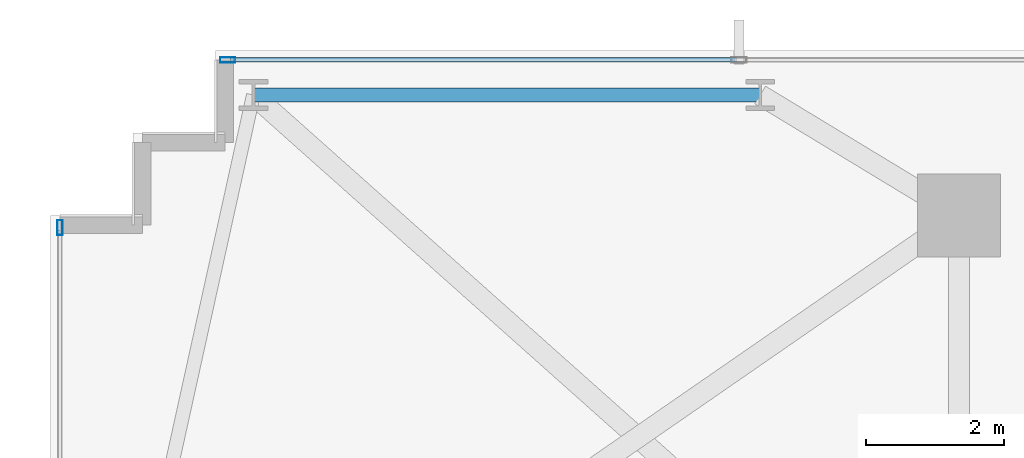
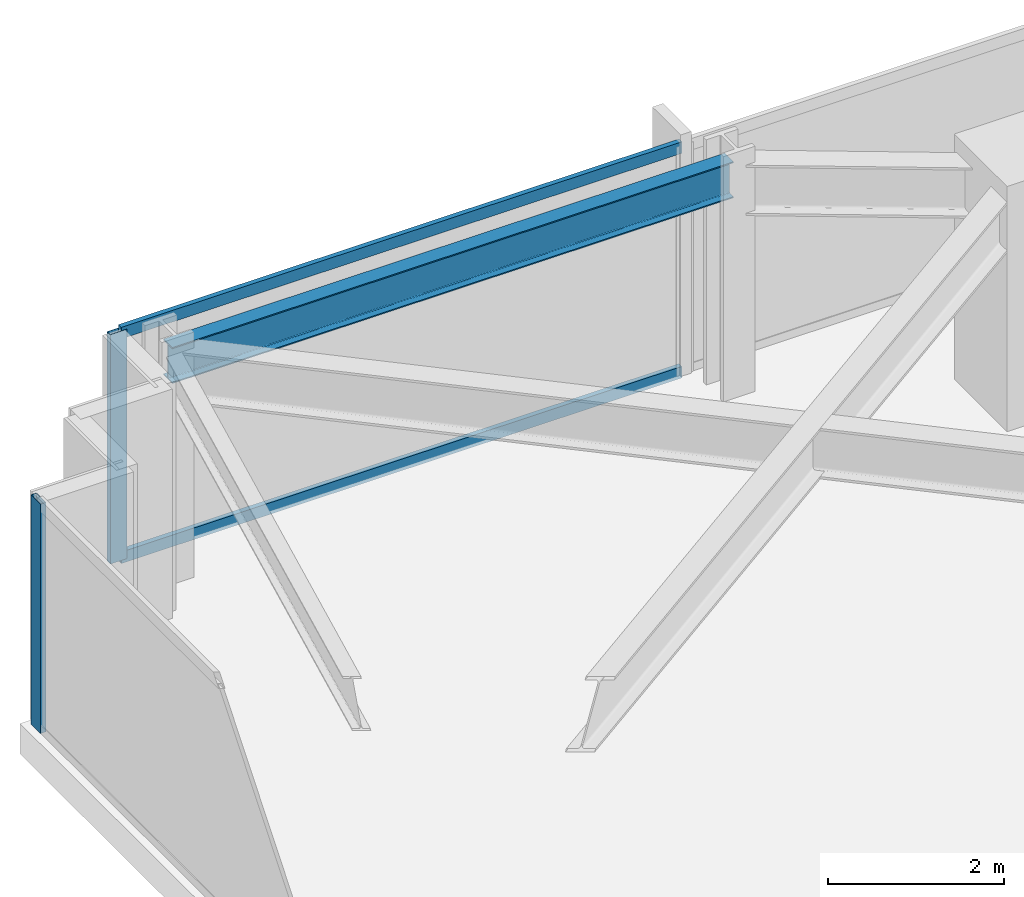
# One storey, part 15 of 31: 4 members, 1 beam, 2 elements without a shape of their own.
"""IFC4 building model written with IfcOpenShell, lengths in metres."""

from ifc_helpers import new_model, si_unit, direction, frame, origin, origin_2d, place, context, subcontext, project, spatial, hollow_rectangle, i_section, extrude, material, material_profile, profile_set, type_object, element, aggregate, save


model = new_model("IFC4")

# Units and contexts
model_context = context("Model", 3, precision=1e-05, world=origin(), true_north=direction((0.0, 1.0)))
body_context = subcontext(model_context, "Body", "Model", "MODEL_VIEW")
ifc_project = project(units=[si_unit("LENGTHUNIT", "METRE"), si_unit("AREAUNIT", "SQUARE_METRE"), si_unit("VOLUMEUNIT", "CUBIC_METRE"), si_unit("PLANEANGLEUNIT", "RADIAN"), si_unit("MASSUNIT", "GRAM", prefix="KILO")], contexts=[model_context])

# Site, building, storey
site_placement = place(None, origin())
site = spatial("IfcSite", under=ifc_project, at=site_placement, CompositionType="ELEMENT")
building_placement = place(site_placement, origin())
building = spatial("IfcBuilding", under=site, at=building_placement, Name="Yelkora Congress Tower", CompositionType="ELEMENT")
storey_placement = place(building_placement, frame((0.0, 0.0, 30.39990234375)))
storey = spatial("IfcBuildingStorey", under=building, at=storey_placement, Name="L06", CompositionType="ELEMENT", Elevation=30.39990234375)

# Beam
ifc_material_1 = material(Name="Steel S355J2", Category="steel")
ifc_material_profile_1 = material_profile(ifc_material_1, i_section(OverallWidth=0.199951171875, OverallDepth=0.5, WebThickness=0.01025390625, FlangeThickness=0.01611328125, FilletRadius=0.02099609375, at=origin_2d()), Name="IPE 500")
ifc_profile_set_1 = profile_set([ifc_material_profile_1], Name="Steel S355J2")
beam_type = type_object("IfcBeamType", Name="BM-SPAN-IPE500", PredefinedType="SPANDREL", material=ifc_profile_set_1)
beam_placement = place(storey_placement, frame((16.3125, 47.949951171875, 2.93017578125), z_axis=(-1.0, 0.0, 0.0), x_axis=(0.0, -1.0, 0.0)))
element("IfcBeam", 1, at=beam_placement, inside=storey, type_object=beam_type, Name="L06 Perimeter Beam 16", PredefinedType="SPANDREL", context=body_context, shape_type="SweptSolid", body=[
    extrude(i_section(OverallWidth=0.199951171875, OverallDepth=0.5, WebThickness=0.01025390625, FlangeThickness=0.01611328125, FilletRadius=0.02099609375, at=origin_2d()), origin(), (0.0, 0.0, 1.0), 7.362548828125),
])

# Curtain wall, member
ifc_material_2 = material(Name="Anodised aluminium and insulated glass", Category="aluminium")
curtain_wall_type = type_object("IfcCurtainWallType", Name="CW-SYS-B1", PredefinedType="NOTDEFINED", material=ifc_material_2)
curtain_wall_1_placement = place(storey_placement, origin())
curtain_wall_1 = element("IfcCurtainWall", 2, at=curtain_wall_1_placement, inside=storey, type_object=curtain_wall_type, Name="L06 Unitised Curtain Wall 5", PredefinedType="NOTDEFINED")
ifc_material_3 = material(Name="Anodised aluminium 6063-T6", Category="aluminium")
ifc_material_profile_2 = material_profile(ifc_material_3, hollow_rectangle(XDim=0.074951171875, YDim=0.219970703125, WallThickness=0.0048828125, at=origin_2d()), Name="ALU 75x220x5")
ifc_profile_set_2 = profile_set([ifc_material_profile_2], Name="Anodised aluminium 6063-T6")
member_type_1 = type_object("IfcMemberType", Name="MEM-ML-B1", PredefinedType="MULLION", material=ifc_profile_set_2)
member_1_placement = place(storey_placement, frame((6.139892578125, 46.0224609375, 0.0), z_axis=(0.0, 0.0, 1.0), x_axis=(-1.0, 0.0, 0.0)))
member_1 = element("IfcMember", 3, at=member_1_placement, type_object=member_type_1, Name="CW-B1 mullion 5", PredefinedType="MULLION", context=body_context, shape_type="SweptSolid", body=[
    extrude(hollow_rectangle(XDim=0.074951171875, YDim=0.219970703125, WallThickness=0.0048828125, at=origin_2d()), origin(), (0.0, 0.0, 1.0), 3.18017578125),
])
aggregate(curtain_wall_1, [member_1])

# Curtain wall, members
curtain_wall_2_placement = place(storey_placement, origin())
curtain_wall_2 = element("IfcCurtainWall", 4, at=curtain_wall_2_placement, inside=storey, type_object=curtain_wall_type, Name="L06 Unitised Curtain Wall 10", PredefinedType="NOTDEFINED")
member_2_placement = place(storey_placement, frame((8.577392578125, 48.4599609375, 0.0), z_axis=(0.0, 0.0, 1.0), x_axis=(0.0, 1.0, 0.0)))
member_2 = element("IfcMember", 5, at=member_2_placement, type_object=member_type_1, Name="CW-B1 mullion 1", PredefinedType="MULLION", context=body_context, shape_type="SweptSolid", body=[
    extrude(hollow_rectangle(XDim=0.074951171875, YDim=0.219970703125, WallThickness=0.0048828125, at=origin_2d()), origin(), (0.0, 0.0, 1.0), 3.18017578125),
])
ifc_material_profile_3 = material_profile(ifc_material_3, hollow_rectangle(XDim=0.06494140625, YDim=0.159912109375, WallThickness=0.00390625, at=origin_2d()), Name="ALU 65x160x4")
ifc_profile_set_3 = profile_set([ifc_material_profile_3], Name="Anodised aluminium 6063-T6")
member_type_2 = type_object("IfcMemberType", Name="MEM-TR-B1", PredefinedType="USERDEFINED", material=ifc_profile_set_3)
member_3_placement = place(storey_placement, frame((8.614990234375, 48.4599609375, 0.03271484375), z_axis=(1.0, 0.0, 0.0), x_axis=(0.0, 1.0, 0.0)))
member_3 = element("IfcMember", 6, at=member_3_placement, type_object=member_type_2, Name="CW-B1 transom 1.1", ObjectType="TRANSOM", PredefinedType="USERDEFINED", context=body_context, shape_type="SweptSolid", body=[
    extrude(hollow_rectangle(XDim=0.06494140625, YDim=0.159912109375, WallThickness=0.00390625, at=origin_2d()), origin(), (0.0, 0.0, 1.0), 7.3525390625),
])
member_4_placement = place(storey_placement, frame((8.614990234375, 48.4599609375, 3.147705078125), z_axis=(1.0, 0.0, 0.0), x_axis=(0.0, 1.0, 0.0)))
member_4 = element("IfcMember", 7, at=member_4_placement, type_object=member_type_2, Name="CW-B1 transom 1.2", ObjectType="TRANSOM", PredefinedType="USERDEFINED", context=body_context, shape_type="SweptSolid", body=[
    extrude(hollow_rectangle(XDim=0.06494140625, YDim=0.159912109375, WallThickness=0.00390625, at=origin_2d()), origin(), (0.0, 0.0, 1.0), 7.3525390625),
])
aggregate(curtain_wall_2, [member_2, member_3, member_4])

save(model, "model.ifc")
